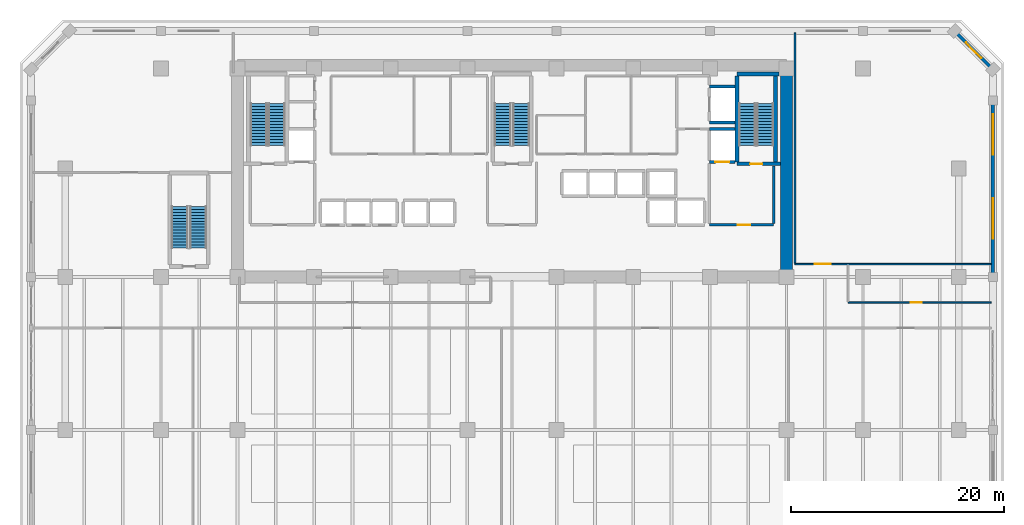
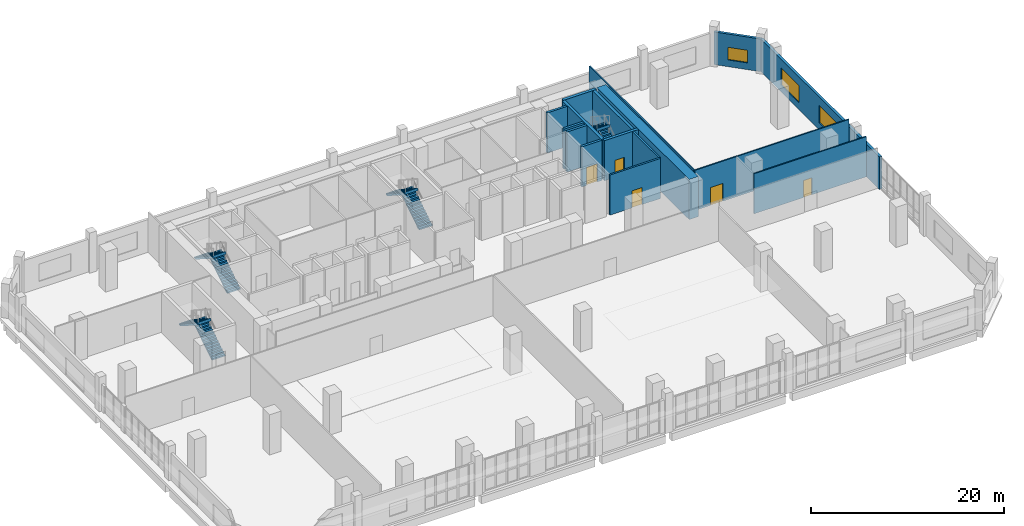
# One storey, part 22 of 25: 16 walls, 8 stair flights, 5 doors, 3 windows, 8 openings, 4 elements without a shape of their own.
"""IFC4 building model written with IfcOpenShell, lengths in metres."""

from ifc_helpers import new_model, si_unit, direction, frame, frame_2d, origin, place, context, subcontext, project, spatial, polyline, rectangle, outline, extrude, material, layer, layer_set, type_object, element, fill, aggregate, save


model = new_model("IFC4")

# Units and contexts
model_context = context("Model", 3, precision=1e-05, world=origin(), true_north=direction((0.0, 1.0)))
body_context = subcontext(model_context, "Body", "Model", "MODEL_VIEW")
ifc_project = project(units=[si_unit("LENGTHUNIT", "METRE"), si_unit("AREAUNIT", "SQUARE_METRE"), si_unit("VOLUMEUNIT", "CUBIC_METRE"), si_unit("PLANEANGLEUNIT", "RADIAN"), si_unit("MASSUNIT", "GRAM", prefix="KILO")], contexts=[model_context])

# Site, building, storey
site_placement = place(None, origin())
site = spatial("IfcSite", under=ifc_project, at=site_placement, CompositionType="ELEMENT")
building_placement = place(site_placement, origin())
building = spatial("IfcBuilding", under=site, at=building_placement, Name="Kaelvorn Grand Hotel", CompositionType="ELEMENT")
storey_placement = place(building_placement, frame((0.0, 0.0, 14.0)))
storey = spatial("IfcBuildingStorey", under=building, at=storey_placement, Name="L02", CompositionType="ELEMENT", Elevation=14.0)

# Wall
ifc_material_1 = material(Name="Concrete C80/95", Category="concrete")
ifc_layer_1 = layer(ifc_material_1, 1.10009765625)
ifc_layer_set_1 = layer_set([ifc_layer_1], Name="Concrete C80/95")
wall_type_1 = type_object("IfcWallType", Name="WL-CORE-1100-C80", PredefinedType="SHEAR", material=ifc_layer_set_1)
wall_1_placement = place(storey_placement, frame((67.800048828125, 29.39990234375, 0.0), z_axis=(0.0, 0.0, 1.0), x_axis=(0.0, 1.0, 0.0)))
element("IfcWall", 1, at=wall_1_placement, inside=storey, type_object=wall_type_1, Name="L02 Rear-Core East Shear Wall", PredefinedType="SHEAR", context=body_context, shape_type="SweptSolid", body=[
    extrude(rectangle(XDim=19.2001953125, YDim=1.10009765625, at=frame_2d((9.60009765625, 0.0))), origin(), (0.0, 0.0, 1.0), 5.080078125),
])

# Wall, openings, windows
ifc_material_2 = material(Name="Concrete C40/50", Category="concrete")
ifc_layer_2 = layer(ifc_material_2, 0.300048828125)
ifc_layer_set_2 = layer_set([ifc_layer_2], Name="Concrete C40/50")
wall_type_2 = type_object("IfcWallType", Name="WL-EXT-300-C40", PredefinedType="SOLIDWALL", material=ifc_layer_set_2)
wall_2_placement = place(storey_placement, frame((87.199951171875, 24.27490234375, 0.0), z_axis=(0.0, 0.0, 1.0), x_axis=(0.0, 1.0, 0.0)))
wall_2 = element("IfcWall", 2, at=wall_2_placement, inside=storey, type_object=wall_type_2, Name="L02 Exterior Architectural Concrete Wall 03 Pier 2", PredefinedType="SOLIDWALL", context=body_context, shape_type="SweptSolid", body=[
    extrude(rectangle(XDim=24.625, YDim=0.300048828125, at=frame_2d((12.3125, 0.0))), origin(), (0.0, 0.0, 1.0), 4.1298828125),
])
opening_1_placement = place(wall_2_placement, frame((8.72509765625, 0.0, 0.85009765625)))
opening_1 = element("IfcOpeningElement", 3, at=opening_1_placement, cuts=wall_2, Name="Opening W9", PredefinedType="OPENING", context=body_context, shape_type="SweptSolid", body=[
    extrude(rectangle(XDim=3.800048828125, YDim=2.199951171875, at=frame_2d((1.89990234375, 1.10009765625))), frame((0.0, 0.16015625, 0.0), z_axis=(0.0, -1.0, 0.0), x_axis=(1.0, 0.0, 0.0)), (0.0, 0.0, 1.0), 0.320068359375),
])
opening_2_placement = place(wall_2_placement, frame((16.625, 0.0, 0.85009765625)))
opening_2 = element("IfcOpeningElement", 4, at=opening_2_placement, cuts=wall_2, Name="Opening W9", PredefinedType="OPENING", context=body_context, shape_type="SweptSolid", body=[
    extrude(rectangle(XDim=3.800048828125, YDim=2.199951171875, at=frame_2d((1.89990234375, 1.10009765625))), frame((0.0, 0.16015625, 0.0), z_axis=(0.0, -1.0, 0.0), x_axis=(1.0, 0.0, 0.0)), (0.0, 0.0, 1.0), 0.320068359375),
])
ifc_material_3 = material(Name="Laminated Low-E Glass", Category="glass")
window_type_1 = type_object("IfcWindowType", Name="WIN-POD-3800x2200", PartitioningType="SINGLE_PANEL", PredefinedType="WINDOW", material=ifc_material_3)
window_1_placement = place(opening_1_placement, origin())
window_1 = element("IfcWindow", 5, at=window_1_placement, inside=storey, type_object=window_type_1, Name="L02 Podium E Ribbon Window 1", OverallHeight=2.199951171875, OverallWidth=3.800048828125, PartitioningType="SINGLE_PANEL", PredefinedType="WINDOW", context=body_context, shape_type="SweptSolid", body=[
    extrude(rectangle(XDim=3.800048828125, YDim=2.199951171875, at=frame_2d((1.89990234375, 1.10009765625))), frame((0.0, 0.030029296875, 0.0), z_axis=(0.0, -1.0, 0.0), x_axis=(1.0, 0.0, 0.0)), (0.0, 0.0, 1.0), 0.06005859375),
])
fill(opening_1, window_1)
window_2_placement = place(opening_2_placement, origin())
window_2 = element("IfcWindow", 6, at=window_2_placement, inside=storey, type_object=window_type_1, Name="L02 Podium E Ribbon Window 2", OverallHeight=2.199951171875, OverallWidth=3.800048828125, PartitioningType="SINGLE_PANEL", PredefinedType="WINDOW", context=body_context, shape_type="SweptSolid", body=[
    extrude(rectangle(XDim=3.800048828125, YDim=2.199951171875, at=frame_2d((1.89990234375, 1.10009765625))), frame((0.0, 0.030029296875, 0.0), z_axis=(0.0, -1.0, 0.0), x_axis=(1.0, 0.0, 0.0)), (0.0, 0.0, 1.0), 0.06005859375),
])
fill(opening_2, window_2)

# Wall, opening, window
wall_3_placement = place(storey_placement, frame((87.199951171875, 48.89990234375, 0.0), z_axis=(0.0, 0.0, 1.0), x_axis=(-0.707082803744, 0.707130757816, 0.0)))
wall_3 = element("IfcWall", 7, at=wall_3_placement, inside=storey, type_object=wall_type_2, Name="L02 Exterior Architectural Concrete Wall 04", PredefinedType="SOLIDWALL", context=body_context, shape_type="SweptSolid", body=[
    extrude(rectangle(XDim=5.091064453125, YDim=0.300048828125, at=frame_2d((2.54541015625, 0.0))), origin(), (0.0, 0.0, 1.0), 4.1298828125),
])
opening_3_placement = place(wall_3_placement, frame((1.49560546875, 0.0, 0.85009765625)))
opening_3 = element("IfcOpeningElement", 8, at=opening_3_placement, cuts=wall_3, Name="Opening W7", PredefinedType="OPENING", context=body_context, shape_type="SweptSolid", body=[
    extrude(rectangle(XDim=2.10009765625, YDim=1.60009765625, at=frame_2d((1.050048828125, 0.800048828125))), frame((0.0, 0.16015625, 0.0), z_axis=(0.0, -1.0, 0.0), x_axis=(1.0, 0.0, 0.0)), (0.0, 0.0, 1.0), 0.320068359375),
])
window_type_2 = type_object("IfcWindowType", Name="WIN-CHM-2100x1600", PartitioningType="SINGLE_PANEL", PredefinedType="WINDOW", material=ifc_material_3)
window_3_placement = place(opening_3_placement, origin())
window_3 = element("IfcWindow", 9, at=window_3_placement, inside=storey, type_object=window_type_2, Name="L02 Chamfered 45-Degree Corner Window NE", OverallHeight=1.60009765625, OverallWidth=2.10009765625, PartitioningType="SINGLE_PANEL", PredefinedType="WINDOW", context=body_context, shape_type="SweptSolid", body=[
    extrude(rectangle(XDim=2.10009765625, YDim=1.60009765625, at=frame_2d((1.050048828125, 0.800048828125))), frame((0.0, 0.030029296875, 0.0), z_axis=(0.0, -1.0, 0.0), x_axis=(1.0, 0.0, 0.0)), (0.0, 0.0, 1.0), 0.06005859375),
])
fill(opening_3, window_3)

# Wall, opening, door
ifc_material_4 = material(Name="Acoustic Gypsum & Stud Partition")
ifc_layer_3 = layer(ifc_material_4, 0.14990234375)
ifc_layer_set_3 = layer_set([ifc_layer_3], Name="Acoustic Gypsum & Stud Partition")
wall_type_3 = type_object("IfcWallType", Name="WL-PART-150-EI60", PredefinedType="PARTITIONING", material=ifc_layer_set_3)
wall_4_placement = place(storey_placement, frame((68.60009765625, 30.60009765625, 0.0), z_axis=(0.0, 0.0, 1.0), x_axis=(1.0, 0.0, 0.0)))
wall_4 = element("IfcWall", 10, at=wall_4_placement, inside=storey, type_object=wall_type_3, Name="L02 L02 North-East Hospitality Office & Prep Suite S Partition", PredefinedType="PARTITIONING", context=body_context, shape_type="SweptSolid", body=[
    extrude(rectangle(XDim=18.44482421875, YDim=0.14990234375, at=frame_2d((9.222412109375, 0.0))), origin(), (0.0, 0.0, 1.0), 5.080078125),
])
opening_4_placement = place(wall_4_placement, frame((1.85009765625, 0.0, 0.0)))
opening_4 = element("IfcOpeningElement", 11, at=opening_4_placement, cuts=wall_4, Name="Opening DI5", PredefinedType="OPENING", context=body_context, shape_type="SweptSolid", body=[
    extrude(rectangle(XDim=1.5, YDim=2.25, at=frame_2d((0.75, 1.125))), frame((0.0, 0.0849609375, 0.0), z_axis=(0.0, -1.0, 0.0), x_axis=(1.0, 0.0, 0.0)), (0.0, 0.0, 1.0), 0.169921875),
])
ifc_material_5 = material(Name="Timber Veneer Fire Leaf", Category="wood")
door_type_1 = type_object("IfcDoorType", Name="DR-INT-SALON-1500x2250", OperationType="DOUBLE_DOOR_SINGLE_SWING", PredefinedType="DOOR", material=ifc_material_5)
door_1_placement = place(opening_4_placement, origin())
door_1 = element("IfcDoor", 12, at=door_1_placement, inside=storey, type_object=door_type_1, Name="L02 L02 North-East Hospitality Office & Prep Suite Door", OperationType="DOUBLE_DOOR_SINGLE_SWING", OverallHeight=2.25, OverallWidth=1.5, PredefinedType="DOOR", context=body_context, shape_type="SweptSolid", body=[
    extrude(rectangle(XDim=1.5, YDim=2.25, at=frame_2d((0.75, 1.125))), frame((0.0, 0.02490234375, 0.0), z_axis=(0.0, -1.0, 0.0), x_axis=(1.0, 0.0, 0.0)), (0.0, 0.0, 1.0), 0.050048828125),
])
fill(opening_4, door_1)

# Wall
wall_5_placement = place(storey_placement, frame((68.60009765625, 30.679931640625, 0.0), z_axis=(0.0, 0.0, 1.0), x_axis=(0.0, 1.0, 0.0)))
element("IfcWall", 13, at=wall_5_placement, inside=storey, type_object=wall_type_3, Name="L02 L02 North-East Hospitality Office & Prep Suite W Partition", PredefinedType="PARTITIONING", context=body_context, shape_type="SweptSolid", body=[
    extrude(rectangle(XDim=21.6650390625, YDim=0.14990234375, at=frame_2d((10.83251953125, 0.0))), origin(), (0.0, 0.0, 1.0), 5.080078125),
])

# Wall, opening, door
wall_6_placement = place(storey_placement, frame((73.60009765625, 27.0, 0.0), z_axis=(0.0, 0.0, 1.0), x_axis=(1.0, 0.0, 0.0)))
wall_6 = element("IfcWall", 14, at=wall_6_placement, inside=storey, type_object=wall_type_3, Name="L02 L02 East Podium Support Office S Partition", PredefinedType="PARTITIONING", context=body_context, shape_type="SweptSolid", body=[
    extrude(rectangle(XDim=13.44482421875, YDim=0.14990234375, at=frame_2d((6.722412109375, 0.0))), origin(), (0.0, 0.0, 1.0), 5.080078125),
])
opening_5_placement = place(wall_6_placement, frame((5.89990234375, 0.0, 0.0)))
opening_5 = element("IfcOpeningElement", 15, at=opening_5_placement, cuts=wall_6, Name="Opening DI3", PredefinedType="OPENING", context=body_context, shape_type="SweptSolid", body=[
    extrude(rectangle(XDim=1.0, YDim=2.14990234375, at=frame_2d((0.5, 1.074951171875))), frame((0.0, 0.0849609375, 0.0), z_axis=(0.0, -1.0, 0.0), x_axis=(1.0, 0.0, 0.0)), (0.0, 0.0, 1.0), 0.169921875),
])
door_type_2 = type_object("IfcDoorType", Name="DR-INT-GUEST-1000x2150", OperationType="NOTDEFINED", PredefinedType="DOOR", material=ifc_material_5)
door_2_placement = place(opening_5_placement, origin())
door_2 = element("IfcDoor", 16, at=door_2_placement, inside=storey, type_object=door_type_2, Name="L02 L02 East Podium Support Office Door", OperationType="SINGLE_SWING_RIGHT", OverallHeight=2.14990234375, OverallWidth=1.0, PredefinedType="DOOR", context=body_context, shape_type="SweptSolid", body=[
    extrude(rectangle(XDim=1.0, YDim=2.14990234375, at=frame_2d((0.5, 1.074951171875))), frame((0.0, 0.02490234375, 0.0), z_axis=(0.0, -1.0, 0.0), x_axis=(1.0, 0.0, 0.0)), (0.0, 0.0, 1.0), 0.050048828125),
])
fill(opening_5, door_2)

ifc_layer_4 = layer(ifc_material_2, 0.219970703125)
ifc_layer_set_4 = layer_set([ifc_layer_4], Name="Concrete C40/50")
wall_type_4 = type_object("IfcWallType", Name="WL-PART-220-EI120", PredefinedType="PARTITIONING", material=ifc_layer_set_4)
wall_7_placement = place(storey_placement, frame((60.550048828125, 34.300048828125, 0.0), z_axis=(0.0, 0.0, 1.0), x_axis=(1.0, 0.0, 0.0)))
wall_7 = element("IfcWall", 17, at=wall_7_placement, inside=storey, type_object=wall_type_4, Name="L02 Firefighting Lift Lobby 2 S Partition", PredefinedType="PARTITIONING", context=body_context, shape_type="SweptSolid", body=[
    extrude(rectangle(XDim=6.050048828125, YDim=0.219970703125, at=frame_2d((3.02490234375, 0.0))), origin(), (0.0, 0.0, 1.0), 5.080078125),
])
opening_6_placement = place(wall_7_placement, frame((2.64990234375, 0.0, 0.0)))
opening_6 = element("IfcOpeningElement", 18, at=opening_6_placement, cuts=wall_7, Name="Opening DI2", PredefinedType="OPENING", context=body_context, shape_type="SweptSolid", body=[
    extrude(rectangle(XDim=1.199951171875, YDim=2.14990234375, at=frame_2d((0.60009765625, 1.074951171875))), frame((0.0, 0.1201171875, 0.0), z_axis=(0.0, -1.0, 0.0), x_axis=(1.0, 0.0, 0.0)), (0.0, 0.0, 1.0), 0.239990234375),
])
door_type_3 = type_object("IfcDoorType", Name="DR-INT-FFLOB-1200x2150", OperationType="NOTDEFINED", PredefinedType="DOOR", material=ifc_material_5)
door_3_placement = place(opening_6_placement, origin())
door_3 = element("IfcDoor", 19, at=door_3_placement, inside=storey, type_object=door_type_3, Name="L02 Firefighting Lift Lobby 2 Door", OperationType="SINGLE_SWING_LEFT", OverallHeight=2.14990234375, OverallWidth=1.199951171875, PredefinedType="DOOR", context=body_context, shape_type="SweptSolid", body=[
    extrude(rectangle(XDim=1.199951171875, YDim=2.14990234375, at=frame_2d((0.60009765625, 1.074951171875))), frame((0.0, 0.02490234375, 0.0), z_axis=(0.0, -1.0, 0.0), x_axis=(1.0, 0.0, 0.0)), (0.0, 0.0, 1.0), 0.050048828125),
])
fill(opening_6, door_3)

# Wall
wall_8_placement = place(storey_placement, frame((66.60009765625, 34.4150390625, 0.0), z_axis=(0.0, 0.0, 1.0), x_axis=(0.0, 1.0, 0.0)))
element("IfcWall", 20, at=wall_8_placement, inside=storey, type_object=wall_type_4, Name="L02 Firefighting Lift Lobby 2 E Partition", PredefinedType="PARTITIONING", context=body_context, shape_type="SweptSolid", body=[
    extrude(rectangle(XDim=5.429931640625, YDim=0.219970703125, at=frame_2d((2.71484375, 0.0))), origin(), (0.0, 0.0, 1.0), 5.080078125),
])

# Wall, opening, door
ifc_material_6 = material(Name="Concrete C50/60", Category="concrete")
ifc_layer_5 = layer(ifc_material_6, 0.280029296875)
ifc_layer_set_5 = layer_set([ifc_layer_5], Name="Concrete C50/60")
wall_type_5 = type_object("IfcWallType", Name="WL-SHAFT-280-C50", PredefinedType="SHEAR", material=ifc_layer_set_5)
wall_9_placement = place(storey_placement, frame((60.550048828125, 40.199951171875, 0.0), z_axis=(0.0, 0.0, 1.0), x_axis=(1.0, 0.0, 0.0)))
wall_9 = element("IfcWall", 21, at=wall_9_placement, inside=storey, type_object=wall_type_5, Name="L02 Lift FFL2 Shaft South Wall", PredefinedType="SHEAR", context=body_context, shape_type="SweptSolid", body=[
    extrude(rectangle(XDim=2.4150390625, YDim=0.280029296875, at=frame_2d((1.20751953125, 0.0))), origin(), (0.0, 0.0, 1.0), 5.080078125),
])
opening_7_placement = place(wall_9_placement, frame((0.574951171875, 0.0, 0.0)))
opening_7 = element("IfcOpeningElement", 22, at=opening_7_placement, cuts=wall_9, Name="Opening LD-FFL2", PredefinedType="OPENING", context=body_context, shape_type="SweptSolid", body=[
    extrude(rectangle(XDim=1.300048828125, YDim=2.300048828125, at=frame_2d((0.64990234375, 1.14990234375))), frame((0.0, 0.14990234375, 0.0), z_axis=(0.0, -1.0, 0.0), x_axis=(1.0, 0.0, 0.0)), (0.0, 0.0, 1.0), 0.300048828125),
])
ifc_material_7 = material(Name="Stainless Steel", Category="steel")
door_type_4 = type_object("IfcDoorType", Name="DR-LIFT-SERV-1300x2300", OperationType="DOUBLE_DOOR_SLIDING", PredefinedType="DOOR", material=ifc_material_7)
door_4_placement = place(opening_7_placement, origin())
door_4 = element("IfcDoor", 23, at=door_4_placement, inside=storey, type_object=door_type_4, Name="L02 Lift FFL2 Sliding Landing Door LD-FFL2", OperationType="DOUBLE_DOOR_SLIDING", OverallHeight=2.300048828125, OverallWidth=1.300048828125, PredefinedType="DOOR", context=body_context, shape_type="SweptSolid", body=[
    extrude(rectangle(XDim=1.300048828125, YDim=2.300048828125, at=frame_2d((0.64990234375, 1.14990234375))), frame((0.0, 0.02490234375, 0.0), z_axis=(0.0, -1.0, 0.0), x_axis=(1.0, 0.0, 0.0)), (0.0, 0.0, 1.0), 0.050048828125),
])
fill(opening_7, door_4)

# Walls
for number, where, z_axis, x_axis, name in (
    (24, (60.550048828125, 43.300048828125, 0.0), (0.0, 0.0, 1.0), (1.0, 0.0, 0.0), "L02 Lift FFL2 Shaft North Wall"),
    (25, (60.550048828125, 43.89990234375, 0.0), (0.0, 0.0, 1.0), (1.0, 0.0, 0.0), "L02 Lift SV1 Shaft South Wall"),
    (26, (60.550048828125, 47.300048828125, 0.0), (0.0, 0.0, 1.0), (1.0, 0.0, 0.0), "L02 Lift SV1 Shaft North Wall"),
):
    element("IfcWall", number, at=place(storey_placement, frame(where, z_axis=z_axis, x_axis=x_axis)), inside=storey, type_object=wall_type_5, Name=name, PredefinedType="SHEAR", context=body_context, shape_type="SweptSolid", body=[
        extrude(rectangle(XDim=2.4150390625, YDim=0.280029296875, at=frame_2d((1.20751953125, 0.0))), origin(), (0.0, 0.0, 1.0), 5.080078125),
    ])

# Wall, opening, door
ifc_material_8 = material(Name="Concrete C60/75", Category="concrete")
ifc_layer_6 = layer(ifc_material_8, 0.35009765625)
ifc_layer_set_6 = layer_set([ifc_layer_6], Name="Concrete C60/75")
wall_type_6 = type_object("IfcWallType", Name="WL-SHAFT-350-C60", PredefinedType="SHEAR", material=ifc_layer_set_6)
wall_10_placement = place(storey_placement, frame((63.14501953125, 40.02490234375, 0.0), z_axis=(0.0, 0.0, 1.0), x_axis=(1.0, 0.0, 0.0)))
wall_10 = element("IfcWall", 27, at=wall_10_placement, inside=storey, type_object=wall_type_6, Name="L02 ST3 Stair Shaft South Wall", PredefinedType="SHEAR", context=body_context, shape_type="SweptSolid", body=[
    extrude(rectangle(XDim=4.10009765625, YDim=0.35009765625, at=frame_2d((2.050048828125, 0.0))), origin(), (0.0, 0.0, 1.0), 5.080078125),
])
opening_8_placement = place(wall_10_placement, frame((1.239990234375, 0.0, 0.0)))
opening_8 = element("IfcOpeningElement", 28, at=opening_8_placement, cuts=wall_10, Name="Opening DI1", PredefinedType="OPENING", context=body_context, shape_type="SweptSolid", body=[
    extrude(rectangle(XDim=1.14990234375, YDim=2.14990234375, at=frame_2d((0.574951171875, 1.074951171875))), frame((0.0, 0.18505859375, 0.0), z_axis=(0.0, -1.0, 0.0), x_axis=(1.0, 0.0, 0.0)), (0.0, 0.0, 1.0), 0.3701171875),
])
door_type_5 = type_object("IfcDoorType", Name="DR-INT-STAIR-1150x2150", OperationType="NOTDEFINED", PredefinedType="DOOR", material=ifc_material_5)
door_5_placement = place(opening_8_placement, origin())
door_5 = element("IfcDoor", 29, at=door_5_placement, inside=storey, type_object=door_type_5, Name="L02 ST3 Exit Stair Fire Door", OperationType="SINGLE_SWING_RIGHT", OverallHeight=2.14990234375, OverallWidth=1.14990234375, PredefinedType="DOOR", context=body_context, shape_type="SweptSolid", body=[
    extrude(rectangle(XDim=1.14990234375, YDim=2.14990234375, at=frame_2d((0.574951171875, 1.074951171875))), frame((0.0, 0.02490234375, 0.0), z_axis=(0.0, -1.0, 0.0), x_axis=(1.0, 0.0, 0.0)), (0.0, 0.0, 1.0), 0.050048828125),
])
fill(opening_8, door_5)

# Walls
wall_11_placement = place(storey_placement, frame((63.14501953125, 48.47509765625, 0.0), z_axis=(0.0, 0.0, 1.0), x_axis=(1.0, 0.0, 0.0)))
element("IfcWall", 30, at=wall_11_placement, inside=storey, type_object=wall_type_6, Name="L02 ST3 Stair Shaft North Wall", PredefinedType="SHEAR", context=body_context, shape_type="SweptSolid", body=[
    extrude(rectangle(XDim=3.949951171875, YDim=0.35009765625, at=frame_2d((1.97509765625, 0.0))), origin(), (0.0, 0.0, 1.0), 5.080078125),
])
for number, where, z_axis, x_axis, name in (
    (31, (63.14501953125, 40.205078125, 0.0), (0.0, 0.0, 1.0), (0.0, 1.0, 0.0), "L02 ST3 Stair Shaft West Wall"),
    (32, (66.77490234375, 40.205078125, 0.0), (0.0, 0.0, 1.0), (0.0, 1.0, 0.0), "L02 ST3 Stair Shaft East Wall"),
):
    element("IfcWall", number, at=place(storey_placement, frame(where, z_axis=z_axis, x_axis=x_axis)), inside=storey, type_object=wall_type_6, Name=name, PredefinedType="SHEAR", context=body_context, shape_type="SweptSolid", body=[
        extrude(rectangle(XDim=8.08984375, YDim=0.35009765625, at=frame_2d((4.044921875, 0.0))), origin(), (0.0, 0.0, 1.0), 5.080078125),
    ])

# Stair, stair flights
stair_type = type_object("IfcStairType", Name="STR-DOG-1560-R04", PredefinedType="HALF_TURN_STAIR", material=ifc_material_2)
stair_1_placement = place(storey_placement, origin())
stair_1 = element("IfcStair", 33, at=stair_1_placement, inside=storey, type_object=stair_type, Name="L02 West Core Exit Stair ST1", PredefinedType="HALF_TURN_STAIR")
stair_flight_type = type_object("IfcStairFlightType", Name="FLG-DOG-1560-R04", PredefinedType="STRAIGHT", material=ifc_material_2)
stair_flight_1_placement = place(storey_placement, frame((19.89990234375, 41.760009765625, 0.0), z_axis=(0.0, 0.0, 1.0), x_axis=(0.0, 1.0, 0.0)))
stair_flight_1 = element("IfcStairFlight", 34, at=stair_flight_1_placement, type_object=stair_flight_type, Name="ST1 flight 1", NumberOfRisers=15, NumberOfTreads=14, PredefinedType="STRAIGHT", RiserHeight=0.18, TreadLength=0.28, context=body_context, shape_type="SweptSolid", body=[
    extrude(outline(polyline([(-0.0048828125, 0.0), (-0.0048828125, 0.0400390625), (0.0, 0.179931640625), (0.280029296875, 0.179931640625), (0.280029296875, 0.360107421875), (0.56005859375, 0.360107421875), (0.56005859375, 0.5400390625), (0.840087890625, 0.5400390625), (0.840087890625, 0.719970703125), (1.1201171875, 0.719970703125), (1.1201171875, 0.89990234375), (1.39990234375, 0.89990234375), (1.39990234375, 1.080078125), (1.679931640625, 1.080078125), (1.679931640625, 1.260009765625), (1.9599609375, 1.260009765625), (1.9599609375, 1.43994140625), (2.239990234375, 1.43994140625), (2.239990234375, 1.6201171875), (2.52001953125, 1.6201171875), (2.52001953125, 1.800048828125), (2.800048828125, 1.800048828125), (2.800048828125, 1.97998046875), (3.080078125, 1.97998046875), (3.080078125, 2.159912109375), (3.360107421875, 2.159912109375), (3.360107421875, 2.340087890625), (3.639892578125, 2.340087890625), (3.639892578125, 2.52001953125), (3.919921875, 2.52001953125), (3.919921875, 2.699951171875), (3.925048828125, 2.699951171875), (3.925048828125, 2.341796875), (0.277099609375, 0.0), (-0.0048828125, 0.0)])), frame((0.0, 0.780029296875, 0.0), z_axis=(0.0, -1.0, 0.0), x_axis=(1.0, 0.0, 0.0)), (0.0, 0.0, 1.0), 1.56005859375),
])
stair_flight_2_placement = place(storey_placement, frame((18.179931640625, 45.679931640625, 2.699951171875), z_axis=(0.0, 0.0, 1.0), x_axis=(0.0, -1.0, 0.0)))
stair_flight_2 = element("IfcStairFlight", 35, at=stair_flight_2_placement, type_object=stair_flight_type, Name="ST1 flight 2", NumberOfRisers=15, NumberOfTreads=14, PredefinedType="STRAIGHT", RiserHeight=0.18, TreadLength=0.28, context=body_context, shape_type="SweptSolid", body=[
    extrude(outline(polyline([(-0.0048828125, 0.0), (-0.0048828125, 0.0400390625), (0.0, 0.179931640625), (0.280029296875, 0.179931640625), (0.280029296875, 0.360107421875), (0.56005859375, 0.360107421875), (0.56005859375, 0.5400390625), (0.840087890625, 0.5400390625), (0.840087890625, 0.719970703125), (1.1201171875, 0.719970703125), (1.1201171875, 0.89990234375), (1.39990234375, 0.89990234375), (1.39990234375, 1.080078125), (1.679931640625, 1.080078125), (1.679931640625, 1.260009765625), (1.9599609375, 1.260009765625), (1.9599609375, 1.43994140625), (2.239990234375, 1.43994140625), (2.239990234375, 1.6201171875), (2.52001953125, 1.6201171875), (2.52001953125, 1.800048828125), (2.800048828125, 1.800048828125), (2.800048828125, 1.97998046875), (3.080078125, 1.97998046875), (3.080078125, 2.159912109375), (3.360107421875, 2.159912109375), (3.360107421875, 2.340087890625), (3.639892578125, 2.340087890625), (3.639892578125, 2.52001953125), (3.919921875, 2.52001953125), (3.919921875, 2.699951171875), (3.925048828125, 2.699951171875), (3.925048828125, 2.341796875), (0.277099609375, 0.0), (-0.0048828125, 0.0)])), frame((0.0, 0.780029296875, 0.0), z_axis=(0.0, -1.0, 0.0), x_axis=(1.0, 0.0, 0.0)), (0.0, 0.0, 1.0), 1.56005859375),
])
aggregate(stair_1, [stair_flight_1, stair_flight_2])

stair_2_placement = place(storey_placement, origin())
stair_2 = element("IfcStair", 36, at=stair_2_placement, inside=storey, type_object=stair_type, Name="L02 Central Core Exit Stair ST2", PredefinedType="HALF_TURN_STAIR")
stair_flight_3_placement = place(storey_placement, frame((42.860107421875, 41.760009765625, 0.0), z_axis=(0.0, 0.0, 1.0), x_axis=(0.0, 1.0, 0.0)))
stair_flight_3 = element("IfcStairFlight", 37, at=stair_flight_3_placement, type_object=stair_flight_type, Name="ST2 flight 1", NumberOfRisers=15, NumberOfTreads=14, PredefinedType="STRAIGHT", RiserHeight=0.18, TreadLength=0.28, context=body_context, shape_type="SweptSolid", body=[
    extrude(outline(polyline([(-0.0048828125, 0.0), (-0.0048828125, 0.0400390625), (0.0, 0.179931640625), (0.280029296875, 0.179931640625), (0.280029296875, 0.360107421875), (0.56005859375, 0.360107421875), (0.56005859375, 0.5400390625), (0.840087890625, 0.5400390625), (0.840087890625, 0.719970703125), (1.1201171875, 0.719970703125), (1.1201171875, 0.89990234375), (1.39990234375, 0.89990234375), (1.39990234375, 1.080078125), (1.679931640625, 1.080078125), (1.679931640625, 1.260009765625), (1.9599609375, 1.260009765625), (1.9599609375, 1.43994140625), (2.239990234375, 1.43994140625), (2.239990234375, 1.6201171875), (2.52001953125, 1.6201171875), (2.52001953125, 1.800048828125), (2.800048828125, 1.800048828125), (2.800048828125, 1.97998046875), (3.080078125, 1.97998046875), (3.080078125, 2.159912109375), (3.360107421875, 2.159912109375), (3.360107421875, 2.340087890625), (3.639892578125, 2.340087890625), (3.639892578125, 2.52001953125), (3.919921875, 2.52001953125), (3.919921875, 2.699951171875), (3.925048828125, 2.699951171875), (3.925048828125, 2.341796875), (0.277099609375, 0.0), (-0.0048828125, 0.0)])), frame((0.0, 0.780029296875, 0.0), z_axis=(0.0, -1.0, 0.0), x_axis=(1.0, 0.0, 0.0)), (0.0, 0.0, 1.0), 1.56005859375),
])
stair_flight_4_placement = place(storey_placement, frame((41.139892578125, 45.679931640625, 2.699951171875), z_axis=(0.0, 0.0, 1.0), x_axis=(0.0, -1.0, 0.0)))
stair_flight_4 = element("IfcStairFlight", 38, at=stair_flight_4_placement, type_object=stair_flight_type, Name="ST2 flight 2", NumberOfRisers=15, NumberOfTreads=14, PredefinedType="STRAIGHT", RiserHeight=0.18, TreadLength=0.28, context=body_context, shape_type="SweptSolid", body=[
    extrude(outline(polyline([(-0.0048828125, 0.0), (-0.0048828125, 0.0400390625), (0.0, 0.179931640625), (0.280029296875, 0.179931640625), (0.280029296875, 0.360107421875), (0.56005859375, 0.360107421875), (0.56005859375, 0.5400390625), (0.840087890625, 0.5400390625), (0.840087890625, 0.719970703125), (1.1201171875, 0.719970703125), (1.1201171875, 0.89990234375), (1.39990234375, 0.89990234375), (1.39990234375, 1.080078125), (1.679931640625, 1.080078125), (1.679931640625, 1.260009765625), (1.9599609375, 1.260009765625), (1.9599609375, 1.43994140625), (2.239990234375, 1.43994140625), (2.239990234375, 1.6201171875), (2.52001953125, 1.6201171875), (2.52001953125, 1.800048828125), (2.800048828125, 1.800048828125), (2.800048828125, 1.97998046875), (3.080078125, 1.97998046875), (3.080078125, 2.159912109375), (3.360107421875, 2.159912109375), (3.360107421875, 2.340087890625), (3.639892578125, 2.340087890625), (3.639892578125, 2.52001953125), (3.919921875, 2.52001953125), (3.919921875, 2.699951171875), (3.925048828125, 2.699951171875), (3.925048828125, 2.341796875), (0.277099609375, 0.0), (-0.0048828125, 0.0)])), frame((0.0, 0.780029296875, 0.0), z_axis=(0.0, -1.0, 0.0), x_axis=(1.0, 0.0, 0.0)), (0.0, 0.0, 1.0), 1.56005859375),
])
aggregate(stair_2, [stair_flight_3, stair_flight_4])

stair_3_placement = place(storey_placement, origin())
stair_3 = element("IfcStair", 39, at=stair_3_placement, inside=storey, type_object=stair_type, Name="L02 East Core Exit Stair ST3", PredefinedType="HALF_TURN_STAIR")
stair_flight_5_placement = place(storey_placement, frame((65.820068359375, 41.760009765625, 0.0), z_axis=(0.0, 0.0, 1.0), x_axis=(0.0, 1.0, 0.0)))
stair_flight_5 = element("IfcStairFlight", 40, at=stair_flight_5_placement, type_object=stair_flight_type, Name="ST3 flight 1", NumberOfRisers=15, NumberOfTreads=14, PredefinedType="STRAIGHT", RiserHeight=0.18, TreadLength=0.28, context=body_context, shape_type="SweptSolid", body=[
    extrude(outline(polyline([(-0.0048828125, 0.0), (-0.0048828125, 0.0400390625), (0.0, 0.179931640625), (0.280029296875, 0.179931640625), (0.280029296875, 0.360107421875), (0.56005859375, 0.360107421875), (0.56005859375, 0.5400390625), (0.840087890625, 0.5400390625), (0.840087890625, 0.719970703125), (1.1201171875, 0.719970703125), (1.1201171875, 0.89990234375), (1.39990234375, 0.89990234375), (1.39990234375, 1.080078125), (1.679931640625, 1.080078125), (1.679931640625, 1.260009765625), (1.9599609375, 1.260009765625), (1.9599609375, 1.43994140625), (2.239990234375, 1.43994140625), (2.239990234375, 1.6201171875), (2.52001953125, 1.6201171875), (2.52001953125, 1.800048828125), (2.800048828125, 1.800048828125), (2.800048828125, 1.97998046875), (3.080078125, 1.97998046875), (3.080078125, 2.159912109375), (3.360107421875, 2.159912109375), (3.360107421875, 2.340087890625), (3.639892578125, 2.340087890625), (3.639892578125, 2.52001953125), (3.919921875, 2.52001953125), (3.919921875, 2.699951171875), (3.925048828125, 2.699951171875), (3.925048828125, 2.341796875), (0.277099609375, 0.0), (-0.0048828125, 0.0)])), frame((0.0, 0.780029296875, 0.0), z_axis=(0.0, -1.0, 0.0), x_axis=(1.0, 0.0, 0.0)), (0.0, 0.0, 1.0), 1.56005859375),
])
stair_flight_6_placement = place(storey_placement, frame((64.10009765625, 45.679931640625, 2.699951171875), z_axis=(0.0, 0.0, 1.0), x_axis=(0.0, -1.0, 0.0)))
stair_flight_6 = element("IfcStairFlight", 41, at=stair_flight_6_placement, type_object=stair_flight_type, Name="ST3 flight 2", NumberOfRisers=15, NumberOfTreads=14, PredefinedType="STRAIGHT", RiserHeight=0.18, TreadLength=0.28, context=body_context, shape_type="SweptSolid", body=[
    extrude(outline(polyline([(-0.0048828125, 0.0), (-0.0048828125, 0.0400390625), (0.0, 0.179931640625), (0.280029296875, 0.179931640625), (0.280029296875, 0.360107421875), (0.56005859375, 0.360107421875), (0.56005859375, 0.5400390625), (0.840087890625, 0.5400390625), (0.840087890625, 0.719970703125), (1.1201171875, 0.719970703125), (1.1201171875, 0.89990234375), (1.39990234375, 0.89990234375), (1.39990234375, 1.080078125), (1.679931640625, 1.080078125), (1.679931640625, 1.260009765625), (1.9599609375, 1.260009765625), (1.9599609375, 1.43994140625), (2.239990234375, 1.43994140625), (2.239990234375, 1.6201171875), (2.52001953125, 1.6201171875), (2.52001953125, 1.800048828125), (2.800048828125, 1.800048828125), (2.800048828125, 1.97998046875), (3.080078125, 1.97998046875), (3.080078125, 2.159912109375), (3.360107421875, 2.159912109375), (3.360107421875, 2.340087890625), (3.639892578125, 2.340087890625), (3.639892578125, 2.52001953125), (3.919921875, 2.52001953125), (3.919921875, 2.699951171875), (3.925048828125, 2.699951171875), (3.925048828125, 2.341796875), (0.277099609375, 0.0), (-0.0048828125, 0.0)])), frame((0.0, 0.780029296875, 0.0), z_axis=(0.0, -1.0, 0.0), x_axis=(1.0, 0.0, 0.0)), (0.0, 0.0, 1.0), 1.56005859375),
])
aggregate(stair_3, [stair_flight_5, stair_flight_6])

stair_4_placement = place(storey_placement, origin())
stair_4 = element("IfcStair", 42, at=stair_4_placement, inside=storey, type_object=stair_type, Name="L02 Podium Grand Stair ST4", PredefinedType="HALF_TURN_STAIR")
stair_flight_7_placement = place(storey_placement, frame((12.5, 32.110107421875, 0.0), z_axis=(0.0, 0.0, 1.0), x_axis=(0.0, 1.0, 0.0)))
stair_flight_7 = element("IfcStairFlight", 43, at=stair_flight_7_placement, type_object=stair_flight_type, Name="ST4 flight 1", NumberOfRisers=15, NumberOfTreads=14, PredefinedType="STRAIGHT", RiserHeight=0.18, TreadLength=0.28, context=body_context, shape_type="SweptSolid", body=[
    extrude(outline(polyline([(-0.0048828125, 0.0), (-0.0048828125, 0.0400390625), (0.0, 0.179931640625), (0.280029296875, 0.179931640625), (0.280029296875, 0.360107421875), (0.56005859375, 0.360107421875), (0.56005859375, 0.5400390625), (0.840087890625, 0.5400390625), (0.840087890625, 0.719970703125), (1.1201171875, 0.719970703125), (1.1201171875, 0.89990234375), (1.39990234375, 0.89990234375), (1.39990234375, 1.080078125), (1.679931640625, 1.080078125), (1.679931640625, 1.260009765625), (1.9599609375, 1.260009765625), (1.9599609375, 1.43994140625), (2.239990234375, 1.43994140625), (2.239990234375, 1.6201171875), (2.52001953125, 1.6201171875), (2.52001953125, 1.800048828125), (2.800048828125, 1.800048828125), (2.800048828125, 1.97998046875), (3.080078125, 1.97998046875), (3.080078125, 2.159912109375), (3.360107421875, 2.159912109375), (3.360107421875, 2.340087890625), (3.639892578125, 2.340087890625), (3.639892578125, 2.52001953125), (3.919921875, 2.52001953125), (3.919921875, 2.699951171875), (3.925048828125, 2.699951171875), (3.925048828125, 2.341796875), (0.277099609375, 0.0), (-0.0048828125, 0.0)])), frame((0.0, 0.780029296875, 0.0), z_axis=(0.0, -1.0, 0.0), x_axis=(1.0, 0.0, 0.0)), (0.0, 0.0, 1.0), 1.56005859375),
])
stair_flight_8_placement = place(storey_placement, frame((10.780029296875, 36.030029296875, 2.699951171875), z_axis=(0.0, 0.0, 1.0), x_axis=(0.0, -1.0, 0.0)))
stair_flight_8 = element("IfcStairFlight", 44, at=stair_flight_8_placement, type_object=stair_flight_type, Name="ST4 flight 2", NumberOfRisers=15, NumberOfTreads=14, PredefinedType="STRAIGHT", RiserHeight=0.18, TreadLength=0.28, context=body_context, shape_type="SweptSolid", body=[
    extrude(outline(polyline([(-0.0048828125, 0.0), (-0.0048828125, 0.0400390625), (0.0, 0.179931640625), (0.280029296875, 0.179931640625), (0.280029296875, 0.360107421875), (0.56005859375, 0.360107421875), (0.56005859375, 0.5400390625), (0.840087890625, 0.5400390625), (0.840087890625, 0.719970703125), (1.1201171875, 0.719970703125), (1.1201171875, 0.89990234375), (1.39990234375, 0.89990234375), (1.39990234375, 1.080078125), (1.679931640625, 1.080078125), (1.679931640625, 1.260009765625), (1.9599609375, 1.260009765625), (1.9599609375, 1.43994140625), (2.239990234375, 1.43994140625), (2.239990234375, 1.6201171875), (2.52001953125, 1.6201171875), (2.52001953125, 1.800048828125), (2.800048828125, 1.800048828125), (2.800048828125, 1.97998046875), (3.080078125, 1.97998046875), (3.080078125, 2.159912109375), (3.360107421875, 2.159912109375), (3.360107421875, 2.340087890625), (3.639892578125, 2.340087890625), (3.639892578125, 2.52001953125), (3.919921875, 2.52001953125), (3.919921875, 2.699951171875), (3.925048828125, 2.699951171875), (3.925048828125, 2.341796875), (0.277099609375, 0.0), (-0.0048828125, 0.0)])), frame((0.0, 0.780029296875, 0.0), z_axis=(0.0, -1.0, 0.0), x_axis=(1.0, 0.0, 0.0)), (0.0, 0.0, 1.0), 1.56005859375),
])
aggregate(stair_4, [stair_flight_7, stair_flight_8])

save(model, "model.ifc")
